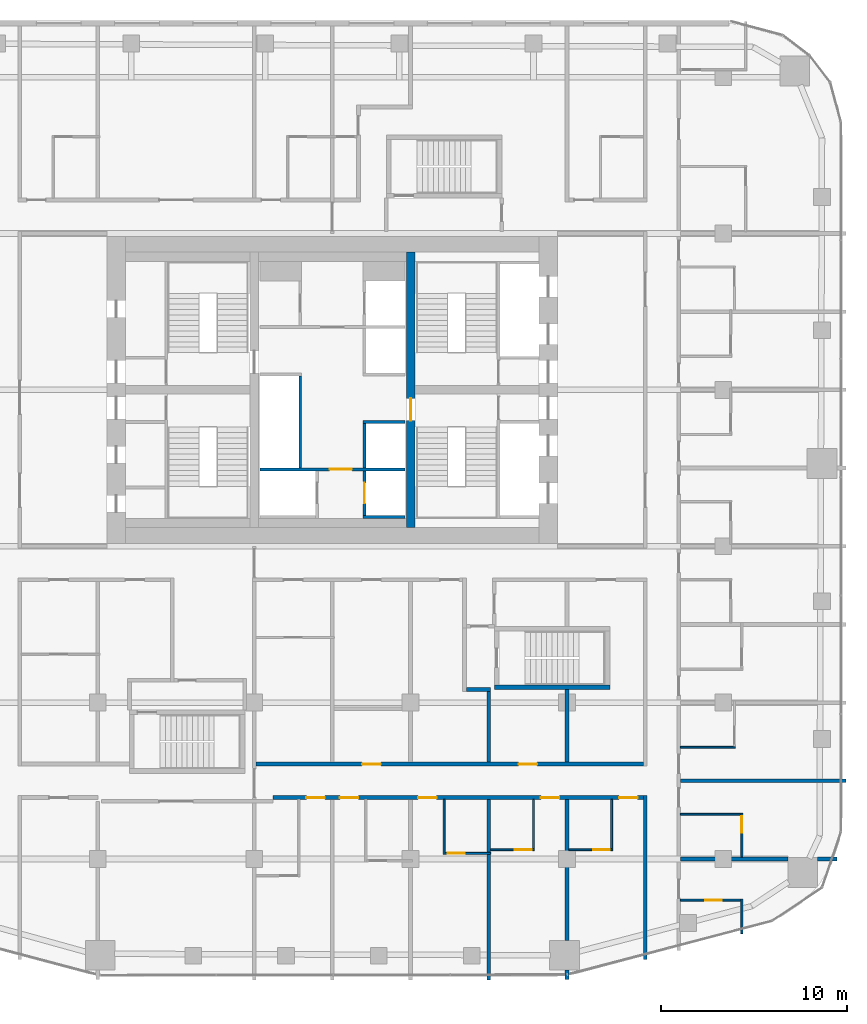
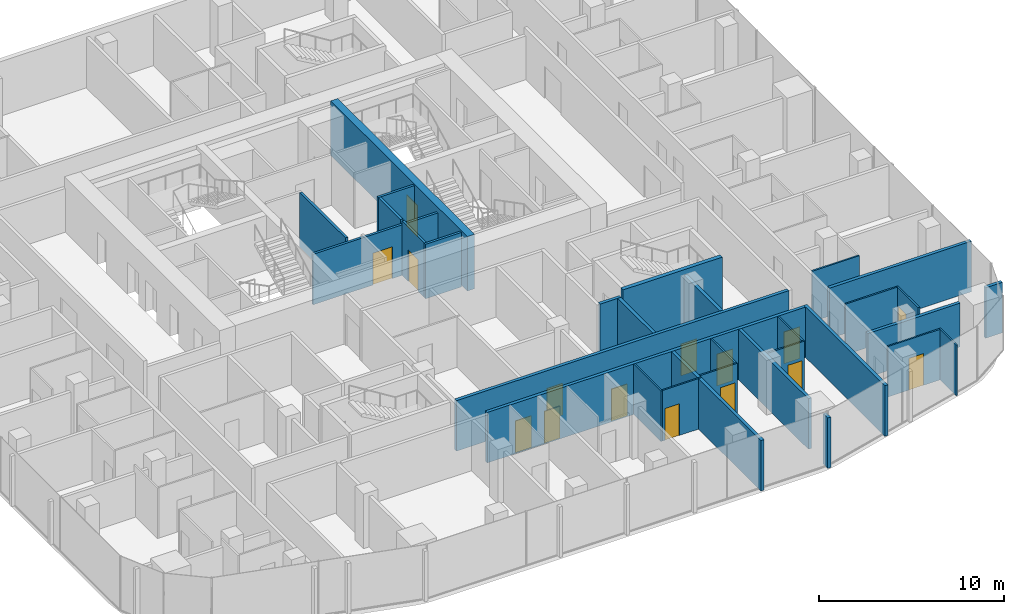
# One storey, part 16 of 23: 31 walls, 15 doors, 15 openings.
"""IFC4 building model written with IfcOpenShell, lengths in metres."""

from ifc_helpers import new_model, si_unit, direction, frame, frame_2d, origin, place, context, subcontext, project, spatial, rectangle, extrude, material, layer, layer_set, type_object, element, fill, save


model = new_model("IFC4")

# Units and contexts
model_context = context("Model", 3, precision=1e-05, world=origin(), true_north=direction((0.0, 1.0)))
body_context = subcontext(model_context, "Body", "Model", "MODEL_VIEW")
ifc_project = project(units=[si_unit("LENGTHUNIT", "METRE"), si_unit("AREAUNIT", "SQUARE_METRE"), si_unit("VOLUMEUNIT", "CUBIC_METRE"), si_unit("PLANEANGLEUNIT", "RADIAN"), si_unit("MASSUNIT", "GRAM", prefix="KILO")], contexts=[model_context])

# Site, building, storey
site_placement = place(None, origin())
site = spatial("IfcSite", under=ifc_project, at=site_placement, CompositionType="ELEMENT")
building_placement = place(site_placement, origin())
building = spatial("IfcBuilding", under=site, at=building_placement, Name="Marenta Gate Hotel Tower", CompositionType="ELEMENT")
storey_placement = place(building_placement, frame((0.0, 0.0, 140.89990234375)))
storey = spatial("IfcBuildingStorey", under=building, at=storey_placement, Name="L32", CompositionType="ELEMENT", Elevation=140.89990234375)

# Wall, opening, door
ifc_material_1 = material(Name="Concrete blockwork", Category="masonry")
ifc_layer_1 = layer(ifc_material_1, 0.14990234375)
ifc_layer_set_1 = layer_set([ifc_layer_1], Name="Concrete blockwork")
wall_type_1 = type_object("IfcWallType", Name="Core lobby partition 150 REI 180", PredefinedType="PARTITIONING", material=ifc_layer_set_1)
wall_1_placement = place(storey_placement, frame((-3.89990234375, 4.125, 0.0), z_axis=(0.0, 0.0, 1.0), x_axis=(1.0, 0.0, 0.0)))
wall_1 = element("IfcWall", 1, at=wall_1_placement, inside=storey, type_object=wall_type_1, Name="L32-CP-CW-S", PredefinedType="PARTITIONING", context=body_context, shape_type="SweptSolid", body=[
    extrude(rectangle(XDim=7.7998046875, YDim=0.14990234375, at=frame_2d((3.89990234375, 0.0))), origin(), (0.0, 0.0, 1.0), 3.340087890625),
])
opening_1_placement = place(wall_1_placement, frame((3.75, 0.0, 0.0)))
opening_1 = element("IfcOpeningElement", 2, at=opening_1_placement, cuts=wall_1, Name="Opening FD-FFS", PredefinedType="OPENING", context=body_context, shape_type="SweptSolid", body=[
    extrude(rectangle(XDim=1.199951171875, YDim=2.10009765625, at=frame_2d((0.60009765625, 1.050048828125))), frame((0.0, 0.074951171875, 0.0), z_axis=(0.0, -1.0, 0.0), x_axis=(1.0, 0.0, 0.0)), (0.0, 0.0, 1.0), 0.14990234375),
])
ifc_material_2 = material(Name="Steel", Category="steel")
door_type_1 = type_object("IfcDoorType", Name="Core lobby door 1200x2100 FD60", OperationType="SINGLE_SWING_LEFT", PredefinedType="DOOR", material=ifc_material_2)
door_1_placement = place(opening_1_placement, origin())
door_1 = element("IfcDoor", 3, at=door_1_placement, inside=storey, type_object=door_type_1, Name="FD-FFS", OperationType="SINGLE_SWING_LEFT", OverallHeight=2.10009765625, OverallWidth=1.199951171875, PredefinedType="DOOR", context=body_context, shape_type="SweptSolid", body=[
    extrude(rectangle(XDim=1.199951171875, YDim=2.10009765625, at=frame_2d((0.60009765625, 1.050048828125))), frame((0.0, 0.02490234375, 0.0), z_axis=(0.0, -1.0, 0.0), x_axis=(1.0, 0.0, 0.0)), (0.0, 0.0, 1.0), 0.050048828125),
])
fill(opening_1, door_1)

# Wall
ifc_material_3 = material(Name="Concrete C40", Category="concrete")
ifc_layer_2 = layer(ifc_material_3, 0.14990234375)
ifc_layer_set_2 = layer_set([ifc_layer_2], Name="Concrete C40")
wall_type_2 = type_object("IfcWallType", Name="Core shaft wall 150 REI 180", PredefinedType="SHEAR", material=ifc_layer_set_2)
wall_2_placement = place(storey_placement, frame((-1.72509765625, 4.199951171875, 0.0), z_axis=(0.0, 0.0, 1.0), x_axis=(0.0, 1.0, 0.0)))
element("IfcWall", 4, at=wall_2_placement, inside=storey, type_object=wall_type_2, Name="L32-SHF-CW-W-front", PredefinedType="SHEAR", context=body_context, shape_type="SweptSolid", body=[
    extrude(rectangle(XDim=4.949951171875, YDim=0.14990234375, at=frame_2d((2.47509765625, 0.0))), origin(), (0.0, 0.0, 1.0), 3.60009765625),
])

# Wall, opening, door
wall_3_placement = place(storey_placement, frame((1.72509765625, 1.64990234375, 0.0), z_axis=(0.0, 0.0, 1.0), x_axis=(0.0, 1.0, 0.0)))
wall_3 = element("IfcWall", 5, at=wall_3_placement, inside=storey, type_object=wall_type_2, Name="L32-SHF-CE-S-ls", PredefinedType="SHEAR", context=body_context, shape_type="SweptSolid", body=[
    extrude(rectangle(XDim=2.400146484375, YDim=0.14990234375, at=frame_2d((1.2001953125, 0.0))), origin(), (0.0, 0.0, 1.0), 3.60009765625),
])
opening_2_placement = place(wall_3_placement, frame((0.64990234375, 0.0, 0.0)))
opening_2 = element("IfcOpeningElement", 6, at=opening_2_placement, cuts=wall_3, Name="Opening LD-SV1", PredefinedType="OPENING", context=body_context, shape_type="SweptSolid", body=[
    extrude(rectangle(XDim=1.10009765625, YDim=2.10009765625, at=frame_2d((0.550048828125, 1.050048828125))), frame((0.0, 0.074951171875, 0.0), z_axis=(0.0, -1.0, 0.0), x_axis=(1.0, 0.0, 0.0)), (0.0, 0.0, 1.0), 0.14990234375),
])
ifc_material_4 = material(Name="Steel", Category="steel")
door_type_2 = type_object("IfcDoorType", Name="Core lift landing door 1100x2100 E 60", OperationType="SLIDING_TO_LEFT", PredefinedType="DOOR", material=ifc_material_4)
door_2_placement = place(opening_2_placement, origin())
door_2 = element("IfcDoor", 7, at=door_2_placement, inside=storey, type_object=door_type_2, Name="LD-SV1", OperationType="SLIDING_TO_LEFT", OverallHeight=2.10009765625, OverallWidth=1.10009765625, PredefinedType="DOOR", context=body_context, shape_type="SweptSolid", body=[
    extrude(rectangle(XDim=1.10009765625, YDim=2.10009765625, at=frame_2d((0.550048828125, 1.050048828125))), frame((0.0, 0.02490234375, 0.0), z_axis=(0.0, -1.0, 0.0), x_axis=(1.0, 0.0, 0.0)), (0.0, 0.0, 1.0), 0.050048828125),
])
fill(opening_2, door_2)

# Walls
for number, where, z_axis, x_axis, name in (
    (8, (1.64990234375, 1.574951171875, 0.0), (0.0, 0.0, 1.0), (1.0, 0.0, 0.0), "L32-SHF-CE-S-bot"),
    (9, (1.64990234375, 6.675048828125, 0.0), (0.0, 0.0, 1.0), (1.0, 0.0, 0.0), "L32-SHF-CE-sep1"),
):
    element("IfcWall", number, at=place(storey_placement, frame(where, z_axis=z_axis, x_axis=x_axis)), inside=storey, type_object=wall_type_2, Name=name, PredefinedType="SHEAR", context=body_context, shape_type="SweptSolid", body=[
        extrude(rectangle(XDim=2.25, YDim=0.14990234375, at=frame_2d((1.125, 0.0))), origin(), (0.0, 0.0, 1.0), 3.60009765625),
    ])
wall_4_placement = place(storey_placement, frame((1.72509765625, 4.199951171875, 0.0), z_axis=(0.0, 0.0, 1.0), x_axis=(0.0, 1.0, 0.0)))
element("IfcWall", 10, at=wall_4_placement, inside=storey, type_object=wall_type_2, Name="L32-SHF-CE-front-1", PredefinedType="SHEAR", context=body_context, shape_type="SweptSolid", body=[
    extrude(rectangle(XDim=2.400146484375, YDim=0.14990234375, at=frame_2d((1.2001953125, 0.0))), origin(), (0.0, 0.0, 1.0), 3.60009765625),
])

# Wall, opening, door
ifc_material_5 = material(Name="Concrete C70", Category="concrete")
ifc_layer_3 = layer(ifc_material_5, 0.449951171875)
ifc_layer_set_3 = layer_set([ifc_layer_3], Name="Concrete C70")
wall_type_3 = type_object("IfcWallType", Name="Core web 450 C70", PredefinedType="SHEAR", material=ifc_layer_set_3)
wall_5_placement = place(storey_placement, frame((4.199951171875, 1.0, 0.0), z_axis=(0.0, 0.0, 1.0), x_axis=(0.0, 1.0, 0.0)))
wall_5 = element("IfcWall", 11, at=wall_5_placement, inside=storey, type_object=wall_type_3, Name="L32-CORE-W2", PredefinedType="SHEAR", context=body_context, shape_type="SweptSolid", body=[
    extrude(rectangle(XDim=14.800048828125, YDim=0.449951171875, at=frame_2d((7.39990234375, 0.0))), origin(), (0.0, 0.0, 1.0), 3.60009765625),
])
opening_3_placement = place(wall_5_placement, frame((5.75, 0.0, 0.0)))
opening_3 = element("IfcOpeningElement", 12, at=opening_3_placement, cuts=wall_5, Name="Opening WD-E", PredefinedType="OPENING", context=body_context, shape_type="SweptSolid", body=[
    extrude(rectangle(XDim=1.199951171875, YDim=2.10009765625, at=frame_2d((0.60009765625, 1.050048828125))), frame((0.0, 0.22509765625, 0.0), z_axis=(0.0, -1.0, 0.0), x_axis=(1.0, 0.0, 0.0)), (0.0, 0.0, 1.0), 0.449951171875),
])
ifc_material_6 = material(Name="Steel", Category="steel")
door_type_3 = type_object("IfcDoorType", Name="Core stair door 1200x2100 FD60", OperationType="SINGLE_SWING_LEFT", PredefinedType="DOOR", material=ifc_material_6)
door_3_placement = place(opening_3_placement, origin())
door_3 = element("IfcDoor", 13, at=door_3_placement, inside=storey, type_object=door_type_3, Name="WD-E", OperationType="SINGLE_SWING_LEFT", OverallHeight=2.10009765625, OverallWidth=1.199951171875, PredefinedType="DOOR", context=body_context, shape_type="SweptSolid", body=[
    extrude(rectangle(XDim=1.199951171875, YDim=2.10009765625, at=frame_2d((0.60009765625, 1.050048828125))), frame((0.0, 0.02490234375, 0.0), z_axis=(0.0, -1.0, 0.0), x_axis=(1.0, 0.0, 0.0)), (0.0, 0.0, 1.0), 0.050048828125),
])
fill(opening_3, door_3)

# Wall
ifc_material_7 = material(Name="Concrete C40", Category="concrete")
ifc_layer_4 = layer(ifc_material_7, 0.25)
ifc_layer_set_4 = layer_set([ifc_layer_4], Name="Concrete C40")
wall_type_4 = type_object("IfcWallType", Name="Remote stair enclosure wall 250 REI 180", PredefinedType="SHEAR", material=ifc_layer_set_4)
wall_6_placement = place(storey_placement, frame((8.699951171875, -7.574951171875, 0.10009765625), z_axis=(0.0, 0.0, 1.0), x_axis=(1.0, 0.0, 0.0)))
element("IfcWall", 14, at=wall_6_placement, inside=storey, type_object=wall_type_4, Name="L32-RS-Z2-2-W1", PredefinedType="SHEAR", context=body_context, shape_type="SweptSolid", body=[
    extrude(rectangle(XDim=6.199951171875, YDim=0.25, at=frame_2d((3.10009765625, 0.0))), origin(), (0.0, 0.0, 1.0), 3.60009765625),
])

# Wall, openings, doors
ifc_material_8 = material(Name="Concrete blockwork", Category="masonry")
ifc_layer_5 = layer(ifc_material_8, 0.199951171875)
ifc_layer_set_5 = layer_set([ifc_layer_5], Name="Concrete blockwork")
wall_type_5 = type_object("IfcWallType", Name="Room corridor wall 200 EI 120", PredefinedType="PARTITIONING", material=ifc_layer_set_5)
wall_7_placement = place(storey_placement, frame((-4.10009765625, -11.699951171875, 0.0), z_axis=(0.0, 0.0, 1.0), x_axis=(1.0, 0.0, 0.0)))
wall_7 = element("IfcWall", 15, at=wall_7_placement, inside=storey, type_object=wall_type_5, Name="L32-PTN-W038", PredefinedType="PARTITIONING", context=body_context, shape_type="SweptSolid", body=[
    extrude(rectangle(XDim=20.800048828125, YDim=0.199951171875, at=frame_2d((10.39990234375, 0.0))), origin(), (0.0, 0.0, 1.0), 3.340087890625),
])
opening_4_placement = place(wall_7_placement, frame((14.10009765625, 0.0, 0.0)))
opening_4 = element("IfcOpeningElement", 16, at=opening_4_placement, cuts=wall_7, Name="Opening G12-70", PredefinedType="OPENING", context=body_context, shape_type="SweptSolid", body=[
    extrude(rectangle(XDim=1.0, YDim=2.10009765625, at=frame_2d((0.5, 1.050048828125))), frame((0.0, 0.10009765625, 0.0), z_axis=(0.0, -1.0, 0.0), x_axis=(1.0, 0.0, 0.0)), (0.0, 0.0, 1.0), 0.199951171875),
])
opening_5_placement = place(wall_7_placement, frame((5.699951171875, 0.0, 0.0)))
opening_5 = element("IfcOpeningElement", 17, at=opening_5_placement, cuts=wall_7, Name="Opening G12-72", PredefinedType="OPENING", context=body_context, shape_type="SweptSolid", body=[
    extrude(rectangle(XDim=1.0, YDim=2.10009765625, at=frame_2d((0.5, 1.050048828125))), frame((0.0, 0.10009765625, 0.0), z_axis=(0.0, -1.0, 0.0), x_axis=(1.0, 0.0, 0.0)), (0.0, 0.0, 1.0), 0.199951171875),
])
ifc_material_9 = material(Name="Timber door leaf", Category="wood")
door_type_4 = type_object("IfcDoorType", Name="Room amenity door 1000x2100 EI 60", OperationType="NOTDEFINED", PredefinedType="DOOR", material=ifc_material_9)
door_4_placement = place(opening_4_placement, origin())
door_4 = element("IfcDoor", 18, at=door_4_placement, inside=storey, type_object=door_type_4, Name="L32-PD-D070", OperationType="SINGLE_SWING_RIGHT", OverallHeight=2.10009765625, OverallWidth=1.0, PredefinedType="DOOR", context=body_context, shape_type="SweptSolid", body=[
    extrude(rectangle(XDim=1.0, YDim=2.10009765625, at=frame_2d((0.5, 1.050048828125))), frame((0.0, 0.02490234375, 0.0), z_axis=(0.0, -1.0, 0.0), x_axis=(1.0, 0.0, 0.0)), (0.0, 0.0, 1.0), 0.050048828125),
])
fill(opening_4, door_4)
door_5_placement = place(opening_5_placement, origin())
door_5 = element("IfcDoor", 19, at=door_5_placement, inside=storey, type_object=door_type_4, Name="L32-PD-D072", OperationType="SINGLE_SWING_RIGHT", OverallHeight=2.10009765625, OverallWidth=1.0, PredefinedType="DOOR", context=body_context, shape_type="SweptSolid", body=[
    extrude(rectangle(XDim=1.0, YDim=2.10009765625, at=frame_2d((0.5, 1.050048828125))), frame((0.0, 0.02490234375, 0.0), z_axis=(0.0, -1.0, 0.0), x_axis=(1.0, 0.0, 0.0)), (0.0, 0.0, 1.0), 0.050048828125),
])
fill(opening_5, door_5)

# Wall
ifc_material_10 = material(Name="Gypsum board on steel stud", Category="steel")
ifc_layer_6 = layer(ifc_material_10, 0.199951171875)
ifc_layer_set_6 = layer_set([ifc_layer_6], Name="Gypsum board on steel stud")
wall_type_6 = type_object("IfcWallType", Name="Room corridor wall 200 EI 60", PredefinedType="PARTITIONING", material=ifc_layer_set_6)
wall_8_placement = place(storey_placement, frame((16.800048828125, -22.18603515625, 0.0), z_axis=(0.0, 0.0, 1.0), x_axis=(0.0, 1.0, 0.0)))
element("IfcWall", 20, at=wall_8_placement, inside=storey, type_object=wall_type_6, Name="L32-PTN-W017", PredefinedType="PARTITIONING", context=body_context, shape_type="SweptSolid", body=[
    extrude(rectangle(XDim=8.7861328125, YDim=0.199951171875, at=frame_2d((4.39306640625, 0.0))), origin(), (0.0, 0.0, 1.0), 3.340087890625),
])

# Wall, openings, doors
wall_9_placement = place(storey_placement, frame((-3.199951171875, -13.5, 0.0), z_axis=(0.0, 0.0, 1.0), x_axis=(1.0, 0.0, 0.0)))
wall_9 = element("IfcWall", 21, at=wall_9_placement, inside=storey, type_object=wall_type_6, Name="L32-PTN-W030", PredefinedType="PARTITIONING", context=body_context, shape_type="SweptSolid", body=[
    extrude(rectangle(XDim=19.89990234375, YDim=0.199951171875, at=frame_2d((9.949951171875, 0.0))), origin(), (0.0, 0.0, 1.0), 3.340087890625),
])
opening_6_placement = place(wall_9_placement, frame((1.800048828125, 0.0, 0.0)))
opening_6 = element("IfcOpeningElement", 22, at=opening_6_placement, cuts=wall_9, Name="Opening G12-40", PredefinedType="OPENING", context=body_context, shape_type="SweptSolid", body=[
    extrude(rectangle(XDim=1.0, YDim=2.10009765625, at=frame_2d((0.5, 1.050048828125))), frame((0.0, 0.10009765625, 0.0), z_axis=(0.0, -1.0, 0.0), x_axis=(1.0, 0.0, 0.0)), (0.0, 0.0, 1.0), 0.199951171875),
])
opening_7_placement = place(wall_9_placement, frame((3.60009765625, 0.0, 0.0)))
opening_7 = element("IfcOpeningElement", 23, at=opening_7_placement, cuts=wall_9, Name="Opening G12-42", PredefinedType="OPENING", context=body_context, shape_type="SweptSolid", body=[
    extrude(rectangle(XDim=1.0, YDim=2.10009765625, at=frame_2d((0.5, 1.050048828125))), frame((0.0, 0.10009765625, 0.0), z_axis=(0.0, -1.0, 0.0), x_axis=(1.0, 0.0, 0.0)), (0.0, 0.0, 1.0), 0.199951171875),
])
opening_8_placement = place(wall_9_placement, frame((7.800048828125, 0.0, 0.0)))
opening_8 = element("IfcOpeningElement", 24, at=opening_8_placement, cuts=wall_9, Name="Opening G12-44", PredefinedType="OPENING", context=body_context, shape_type="SweptSolid", body=[
    extrude(rectangle(XDim=1.0, YDim=2.10009765625, at=frame_2d((0.5, 1.050048828125))), frame((0.0, 0.10009765625, 0.0), z_axis=(0.0, -1.0, 0.0), x_axis=(1.0, 0.0, 0.0)), (0.0, 0.0, 1.0), 0.199951171875),
])
opening_9_placement = place(wall_9_placement, frame((14.39990234375, 0.0, 0.0)))
opening_9 = element("IfcOpeningElement", 25, at=opening_9_placement, cuts=wall_9, Name="Opening G12-46", PredefinedType="OPENING", context=body_context, shape_type="SweptSolid", body=[
    extrude(rectangle(XDim=1.0, YDim=2.10009765625, at=frame_2d((0.5, 1.050048828125))), frame((0.0, 0.10009765625, 0.0), z_axis=(0.0, -1.0, 0.0), x_axis=(1.0, 0.0, 0.0)), (0.0, 0.0, 1.0), 0.199951171875),
])
opening_10_placement = place(wall_9_placement, frame((18.60009765625, 0.0, 0.0)))
opening_10 = element("IfcOpeningElement", 26, at=opening_10_placement, cuts=wall_9, Name="Opening G12-48", PredefinedType="OPENING", context=body_context, shape_type="SweptSolid", body=[
    extrude(rectangle(XDim=1.0, YDim=2.10009765625, at=frame_2d((0.5, 1.050048828125))), frame((0.0, 0.10009765625, 0.0), z_axis=(0.0, -1.0, 0.0), x_axis=(1.0, 0.0, 0.0)), (0.0, 0.0, 1.0), 0.199951171875),
])
ifc_material_11 = material(Name="Timber door leaf", Category="wood")
door_type_5 = type_object("IfcDoorType", Name="Guest room door 1000x2100 EI 30", OperationType="NOTDEFINED", PredefinedType="DOOR", material=ifc_material_11)
door_6_placement = place(opening_6_placement, origin())
door_6 = element("IfcDoor", 27, at=door_6_placement, inside=storey, type_object=door_type_5, Name="L32-PD-D040", OperationType="SINGLE_SWING_RIGHT", OverallHeight=2.10009765625, OverallWidth=1.0, PredefinedType="DOOR", context=body_context, shape_type="SweptSolid", body=[
    extrude(rectangle(XDim=1.0, YDim=2.10009765625, at=frame_2d((0.5, 1.050048828125))), frame((0.0, 0.02490234375, 0.0), z_axis=(0.0, -1.0, 0.0), x_axis=(1.0, 0.0, 0.0)), (0.0, 0.0, 1.0), 0.050048828125),
])
fill(opening_6, door_6)
door_7_placement = place(opening_7_placement, origin())
door_7 = element("IfcDoor", 28, at=door_7_placement, inside=storey, type_object=door_type_5, Name="L32-PD-D042", OperationType="SINGLE_SWING_RIGHT", OverallHeight=2.10009765625, OverallWidth=1.0, PredefinedType="DOOR", context=body_context, shape_type="SweptSolid", body=[
    extrude(rectangle(XDim=1.0, YDim=2.10009765625, at=frame_2d((0.5, 1.050048828125))), frame((0.0, 0.02490234375, 0.0), z_axis=(0.0, -1.0, 0.0), x_axis=(1.0, 0.0, 0.0)), (0.0, 0.0, 1.0), 0.050048828125),
])
fill(opening_7, door_7)
door_8_placement = place(opening_8_placement, origin())
door_8 = element("IfcDoor", 29, at=door_8_placement, inside=storey, type_object=door_type_5, Name="L32-PD-D044", OperationType="SINGLE_SWING_RIGHT", OverallHeight=2.10009765625, OverallWidth=1.0, PredefinedType="DOOR", context=body_context, shape_type="SweptSolid", body=[
    extrude(rectangle(XDim=1.0, YDim=2.10009765625, at=frame_2d((0.5, 1.050048828125))), frame((0.0, 0.02490234375, 0.0), z_axis=(0.0, -1.0, 0.0), x_axis=(1.0, 0.0, 0.0)), (0.0, 0.0, 1.0), 0.050048828125),
])
fill(opening_8, door_8)
door_9_placement = place(opening_9_placement, origin())
door_9 = element("IfcDoor", 30, at=door_9_placement, inside=storey, type_object=door_type_5, Name="L32-PD-D046", OperationType="SINGLE_SWING_RIGHT", OverallHeight=2.10009765625, OverallWidth=1.0, PredefinedType="DOOR", context=body_context, shape_type="SweptSolid", body=[
    extrude(rectangle(XDim=1.0, YDim=2.10009765625, at=frame_2d((0.5, 1.050048828125))), frame((0.0, 0.02490234375, 0.0), z_axis=(0.0, -1.0, 0.0), x_axis=(1.0, 0.0, 0.0)), (0.0, 0.0, 1.0), 0.050048828125),
])
fill(opening_9, door_9)
door_10_placement = place(opening_10_placement, origin())
door_10 = element("IfcDoor", 31, at=door_10_placement, inside=storey, type_object=door_type_5, Name="L32-PD-D048", OperationType="SINGLE_SWING_LEFT", OverallHeight=2.10009765625, OverallWidth=1.0, PredefinedType="DOOR", context=body_context, shape_type="SweptSolid", body=[
    extrude(rectangle(XDim=1.0, YDim=2.10009765625, at=frame_2d((0.5, 1.050048828125))), frame((0.0, 0.02490234375, 0.0), z_axis=(0.0, -1.0, 0.0), x_axis=(1.0, 0.0, 0.0)), (0.0, 0.0, 1.0), 0.050048828125),
])
fill(opening_10, door_10)

# Wall
ifc_material_12 = material(Name="Gypsum board on steel stud", Category="steel")
ifc_layer_7 = layer(ifc_material_12, 0.10009765625)
ifc_layer_set_7 = layer_set([ifc_layer_7], Name="Gypsum board on steel stud")
wall_type_7 = type_object("IfcWallType", Name="Room partition 100", PredefinedType="PARTITIONING", material=ifc_layer_set_7)
wall_10_placement = place(storey_placement, frame((22.0, -20.805908203125, 0.0), z_axis=(0.0, 0.0, 1.0), x_axis=(0.0, 1.0, 0.0)))
element("IfcWall", 32, at=wall_10_placement, inside=storey, type_object=wall_type_7, Name="L32-PTN-W003", PredefinedType="PARTITIONING", context=body_context, shape_type="SweptSolid", body=[
    extrude(rectangle(XDim=1.847900390625, YDim=0.10009765625, at=frame_2d((0.923828125, 0.0))), origin(), (0.0, 0.0, 1.0), 3.340087890625),
])

# Wall, opening, door
wall_11_placement = place(storey_placement, frame((22.0, -16.699951171875, 0.0), z_axis=(0.0, 0.0, 1.0), x_axis=(0.0, 1.0, 0.0)))
wall_11 = element("IfcWall", 33, at=wall_11_placement, inside=storey, type_object=wall_type_7, Name="L32-PTN-W004", PredefinedType="PARTITIONING", context=body_context, shape_type="SweptSolid", body=[
    extrude(rectangle(XDim=2.349853515625, YDim=0.10009765625, at=frame_2d((1.1748046875, 0.0))), origin(), (0.0, 0.0, 1.0), 3.340087890625),
])
opening_11_placement = place(wall_11_placement, frame((1.300048828125, 0.0, 0.0)))
opening_11 = element("IfcOpeningElement", 34, at=opening_11_placement, cuts=wall_11, Name="Opening G12-11", PredefinedType="OPENING", context=body_context, shape_type="SweptSolid", body=[
    extrude(rectangle(XDim=0.89990234375, YDim=2.10009765625, at=frame_2d((0.449951171875, 1.050048828125))), frame((0.0, 0.050048828125, 0.0), z_axis=(0.0, -1.0, 0.0), x_axis=(1.0, 0.0, 0.0)), (0.0, 0.0, 1.0), 0.10009765625),
])
ifc_material_13 = material(Name="Timber door leaf", Category="wood")
door_type_6 = type_object("IfcDoorType", Name="Guest bathroom door 900x2100", OperationType="NOTDEFINED", PredefinedType="DOOR", material=ifc_material_13)
door_11_placement = place(opening_11_placement, origin())
door_11 = element("IfcDoor", 35, at=door_11_placement, inside=storey, type_object=door_type_6, Name="L32-PD-D011", OperationType="SINGLE_SWING_RIGHT", OverallHeight=2.10009765625, OverallWidth=0.89990234375, PredefinedType="DOOR", context=body_context, shape_type="SweptSolid", body=[
    extrude(rectangle(XDim=0.89990234375, YDim=2.10009765625, at=frame_2d((0.449951171875, 1.050048828125))), frame((0.0, 0.02490234375, 0.0), z_axis=(0.0, -1.0, 0.0), x_axis=(1.0, 0.0, 0.0)), (0.0, 0.0, 1.0), 0.050048828125),
])
fill(opening_11, door_11)

wall_12_placement = place(storey_placement, frame((18.699951171875, -19.008056640625, 0.0), z_axis=(0.0, 0.0, 1.0), x_axis=(1.0, 0.0, 0.0)))
wall_12 = element("IfcWall", 36, at=wall_12_placement, inside=storey, type_object=wall_type_7, Name="L32-PTN-W012", PredefinedType="PARTITIONING", context=body_context, shape_type="SweptSolid", body=[
    extrude(rectangle(XDim=3.25, YDim=0.10009765625, at=frame_2d((1.625, 0.0))), origin(), (0.0, 0.0, 1.0), 3.340087890625),
])
opening_12_placement = place(wall_12_placement, frame((1.320068359375, 0.0, 0.0)))
opening_12 = element("IfcOpeningElement", 37, at=opening_12_placement, cuts=wall_12, Name="Opening G12-09", PredefinedType="OPENING", context=body_context, shape_type="SweptSolid", body=[
    extrude(rectangle(XDim=0.89990234375, YDim=2.10009765625, at=frame_2d((0.449951171875, 1.050048828125))), frame((0.0, 0.050048828125, 0.0), z_axis=(0.0, -1.0, 0.0), x_axis=(1.0, 0.0, 0.0)), (0.0, 0.0, 1.0), 0.10009765625),
])
door_12_placement = place(opening_12_placement, origin())
door_12 = element("IfcDoor", 38, at=door_12_placement, inside=storey, type_object=door_type_6, Name="L32-PD-D009", OperationType="SINGLE_SWING_RIGHT", OverallHeight=2.10009765625, OverallWidth=0.89990234375, PredefinedType="DOOR", context=body_context, shape_type="SweptSolid", body=[
    extrude(rectangle(XDim=0.89990234375, YDim=2.10009765625, at=frame_2d((0.449951171875, 1.050048828125))), frame((0.0, 0.02490234375, 0.0), z_axis=(0.0, -1.0, 0.0), x_axis=(1.0, 0.0, 0.0)), (0.0, 0.0, 1.0), 0.050048828125),
])
fill(opening_12, door_12)

wall_13_placement = place(storey_placement, frame((6.050048828125, -16.5, 0.0), z_axis=(0.0, 0.0, 1.0), x_axis=(1.0, 0.0, 0.0)))
wall_13 = element("IfcWall", 39, at=wall_13_placement, inside=storey, type_object=wall_type_7, Name="L32-PTN-W022", PredefinedType="PARTITIONING", context=body_context, shape_type="SweptSolid", body=[
    extrude(rectangle(XDim=2.449951171875, YDim=0.10009765625, at=frame_2d((1.22509765625, 0.0))), origin(), (0.0, 0.0, 1.0), 3.340087890625),
])
opening_13_placement = place(wall_13_placement, frame((0.14990234375, 0.0, 0.0)))
opening_13 = element("IfcOpeningElement", 40, at=opening_13_placement, cuts=wall_13, Name="Opening G12-45", PredefinedType="OPENING", context=body_context, shape_type="SweptSolid", body=[
    extrude(rectangle(XDim=0.89990234375, YDim=2.10009765625, at=frame_2d((0.449951171875, 1.050048828125))), frame((0.0, 0.050048828125, 0.0), z_axis=(0.0, -1.0, 0.0), x_axis=(1.0, 0.0, 0.0)), (0.0, 0.0, 1.0), 0.10009765625),
])
door_13_placement = place(opening_13_placement, origin())
door_13 = element("IfcDoor", 41, at=door_13_placement, inside=storey, type_object=door_type_6, Name="L32-PD-D045", OperationType="SINGLE_SWING_LEFT", OverallHeight=2.10009765625, OverallWidth=0.89990234375, PredefinedType="DOOR", context=body_context, shape_type="SweptSolid", body=[
    extrude(rectangle(XDim=0.89990234375, YDim=2.10009765625, at=frame_2d((0.449951171875, 1.050048828125))), frame((0.0, 0.02490234375, 0.0), z_axis=(0.0, -1.0, 0.0), x_axis=(1.0, 0.0, 0.0)), (0.0, 0.0, 1.0), 0.050048828125),
])
fill(opening_13, door_13)

wall_14_placement = place(storey_placement, frame((8.5, -16.300048828125, 0.0), z_axis=(0.0, 0.0, 1.0), x_axis=(1.0, 0.0, 0.0)))
wall_14 = element("IfcWall", 42, at=wall_14_placement, inside=storey, type_object=wall_type_7, Name="L32-PTN-W023", PredefinedType="PARTITIONING", context=body_context, shape_type="SweptSolid", body=[
    extrude(rectangle(XDim=2.35009765625, YDim=0.10009765625, at=frame_2d((1.175048828125, 0.0))), origin(), (0.0, 0.0, 1.0), 3.340087890625),
])
opening_14_placement = place(wall_14_placement, frame((1.300048828125, 0.0, 0.0)))
opening_14 = element("IfcOpeningElement", 43, at=opening_14_placement, cuts=wall_14, Name="Opening G12-47", PredefinedType="OPENING", context=body_context, shape_type="SweptSolid", body=[
    extrude(rectangle(XDim=0.89990234375, YDim=2.10009765625, at=frame_2d((0.449951171875, 1.050048828125))), frame((0.0, 0.050048828125, 0.0), z_axis=(0.0, -1.0, 0.0), x_axis=(1.0, 0.0, 0.0)), (0.0, 0.0, 1.0), 0.10009765625),
])
door_14_placement = place(opening_14_placement, origin())
door_14 = element("IfcDoor", 44, at=door_14_placement, inside=storey, type_object=door_type_6, Name="L32-PD-D047", OperationType="SINGLE_SWING_RIGHT", OverallHeight=2.10009765625, OverallWidth=0.89990234375, PredefinedType="DOOR", context=body_context, shape_type="SweptSolid", body=[
    extrude(rectangle(XDim=0.89990234375, YDim=2.10009765625, at=frame_2d((0.449951171875, 1.050048828125))), frame((0.0, 0.02490234375, 0.0), z_axis=(0.0, -1.0, 0.0), x_axis=(1.0, 0.0, 0.0)), (0.0, 0.0, 1.0), 0.050048828125),
])
fill(opening_14, door_14)

wall_15_placement = place(storey_placement, frame((12.699951171875, -16.300048828125, 0.0), z_axis=(0.0, 0.0, 1.0), x_axis=(1.0, 0.0, 0.0)))
wall_15 = element("IfcWall", 45, at=wall_15_placement, inside=storey, type_object=wall_type_7, Name="L32-PTN-W024", PredefinedType="PARTITIONING", context=body_context, shape_type="SweptSolid", body=[
    extrude(rectangle(XDim=2.35009765625, YDim=0.10009765625, at=frame_2d((1.175048828125, 0.0))), origin(), (0.0, 0.0, 1.0), 3.340087890625),
])
opening_15_placement = place(wall_15_placement, frame((1.300048828125, 0.0, 0.0)))
opening_15 = element("IfcOpeningElement", 46, at=opening_15_placement, cuts=wall_15, Name="Opening G12-49", PredefinedType="OPENING", context=body_context, shape_type="SweptSolid", body=[
    extrude(rectangle(XDim=0.89990234375, YDim=2.10009765625, at=frame_2d((0.449951171875, 1.050048828125))), frame((0.0, 0.050048828125, 0.0), z_axis=(0.0, -1.0, 0.0), x_axis=(1.0, 0.0, 0.0)), (0.0, 0.0, 1.0), 0.10009765625),
])
door_15_placement = place(opening_15_placement, origin())
door_15 = element("IfcDoor", 47, at=door_15_placement, inside=storey, type_object=door_type_6, Name="L32-PD-D049", OperationType="SINGLE_SWING_RIGHT", OverallHeight=2.10009765625, OverallWidth=0.89990234375, PredefinedType="DOOR", context=body_context, shape_type="SweptSolid", body=[
    extrude(rectangle(XDim=0.89990234375, YDim=2.10009765625, at=frame_2d((0.449951171875, 1.050048828125))), frame((0.0, 0.02490234375, 0.0), z_axis=(0.0, -1.0, 0.0), x_axis=(1.0, 0.0, 0.0)), (0.0, 0.0, 1.0), 0.050048828125),
])
fill(opening_15, door_15)

# Walls
wall_16_placement = place(storey_placement, frame((15.0, -16.25, 0.0), z_axis=(0.0, 0.0, 1.0), x_axis=(0.0, 1.0, 0.0)))
element("IfcWall", 48, at=wall_16_placement, inside=storey, type_object=wall_type_7, Name="L32-PTN-W025", PredefinedType="PARTITIONING", context=body_context, shape_type="SweptSolid", body=[
    extrude(rectangle(XDim=2.64990234375, YDim=0.10009765625, at=frame_2d((1.324951171875, 0.0))), origin(), (0.0, 0.0, 1.0), 3.340087890625),
])
wall_17_placement = place(storey_placement, frame((18.699951171875, -14.39990234375, 0.0), z_axis=(0.0, 0.0, 1.0), x_axis=(1.0, 0.0, 0.0)))
element("IfcWall", 49, at=wall_17_placement, inside=storey, type_object=wall_type_7, Name="L32-PTN-W027", PredefinedType="PARTITIONING", context=body_context, shape_type="SweptSolid", body=[
    extrude(rectangle(XDim=3.25, YDim=0.10009765625, at=frame_2d((1.625, 0.0))), origin(), (0.0, 0.0, 1.0), 3.340087890625),
])
wall_18_placement = place(storey_placement, frame((10.800048828125, -16.25, 0.0), z_axis=(0.0, 0.0, 1.0), x_axis=(0.0, 1.0, 0.0)))
element("IfcWall", 50, at=wall_18_placement, inside=storey, type_object=wall_type_7, Name="L32-PTN-W039", PredefinedType="PARTITIONING", context=body_context, shape_type="SweptSolid", body=[
    extrude(rectangle(XDim=2.64990234375, YDim=0.10009765625, at=frame_2d((1.324951171875, 0.0))), origin(), (0.0, 0.0, 1.0), 3.340087890625),
])
for number, where, z_axis, x_axis, name in (
    (51, (18.699951171875, -10.800048828125, 0.0), (0.0, 0.0, 1.0), (1.0, 0.0, 0.0), "L32-PTN-W041"),
    (52, (6.0, -16.550048828125, 0.0), (0.0, 0.0, 1.0), (0.0, 1.0, 0.0), "L32-PTN-W056"),
):
    element("IfcWall", number, at=place(storey_placement, frame(where, z_axis=z_axis, x_axis=x_axis)), inside=storey, type_object=wall_type_7, Name=name, PredefinedType="PARTITIONING", context=body_context, shape_type="SweptSolid", body=[
        extrude(rectangle(XDim=2.949951171875, YDim=0.10009765625, at=frame_2d((1.47509765625, 0.0))), origin(), (0.0, 0.0, 1.0), 3.340087890625),
    ])
ifc_material_14 = material(Name="Gypsum board on steel stud", Category="steel")
ifc_layer_8 = layer(ifc_material_14, 0.199951171875)
ifc_layer_set_8 = layer_set([ifc_layer_8], Name="Gypsum board on steel stud")
wall_type_8 = type_object("IfcWallType", Name="Room party wall 200 EI 60", PredefinedType="PARTITIONING", material=ifc_layer_set_8)
wall_19_placement = place(storey_placement, frame((18.699951171875, -16.800048828125, 0.0), z_axis=(0.0, 0.0, 1.0), x_axis=(1.0, 0.0, 0.0)))
element("IfcWall", 53, at=wall_19_placement, inside=storey, type_object=wall_type_8, Name="L32-PTN-W021", PredefinedType="PARTITIONING", context=body_context, shape_type="SweptSolid", body=[
    extrude(rectangle(XDim=5.762939453125, YDim=0.199951171875, at=frame_2d((2.88134765625, 0.0))), origin(), (0.0, 0.0, 1.0), 2.89013671875),
])
wall_20_placement = place(storey_placement, frame((26.06298828125, -16.800048828125, 0.0), z_axis=(0.0, 0.0, 1.0), x_axis=(1.0, 0.0, 0.0)))
element("IfcWall", 54, at=wall_20_placement, inside=storey, type_object=wall_type_8, Name="L32-PTN-W132", PredefinedType="PARTITIONING", context=body_context, shape_type="SweptSolid", body=[
    extrude(rectangle(XDim=1.049072265625, YDim=0.199951171875, at=frame_2d((0.5244140625, 0.0))), origin(), (0.0, 0.0, 1.0), 3.340087890625),
])
wall_21_placement = place(storey_placement, frame((12.60009765625, -23.26611328125, 0.0), z_axis=(0.0, 0.0, 1.0), x_axis=(0.0, 1.0, 0.0)))
element("IfcWall", 55, at=wall_21_placement, inside=storey, type_object=wall_type_8, Name="L32-PTN-W032", PredefinedType="PARTITIONING", context=body_context, shape_type="SweptSolid", body=[
    extrude(rectangle(XDim=0.4912109375, YDim=0.199951171875, at=frame_2d((0.24560546875, 0.0))), origin(), (0.0, 0.0, 1.0), 3.340087890625),
])
wall_22_placement = place(storey_placement, frame((12.60009765625, -21.175048828125, 0.0), z_axis=(0.0, 0.0, 1.0), x_axis=(0.0, 1.0, 0.0)))
element("IfcWall", 56, at=wall_22_placement, inside=storey, type_object=wall_type_8, Name="L32-PTN-W133", PredefinedType="PARTITIONING", context=body_context, shape_type="SweptSolid", body=[
    extrude(rectangle(XDim=7.574951171875, YDim=0.199951171875, at=frame_2d((3.78759765625, 0.0))), origin(), (0.0, 0.0, 1.0), 3.340087890625),
])
wall_23_placement = place(storey_placement, frame((12.60009765625, -11.60009765625, 0.0), z_axis=(0.0, 0.0, 1.0), x_axis=(0.0, 1.0, 0.0)))
element("IfcWall", 57, at=wall_23_placement, inside=storey, type_object=wall_type_8, Name="L32-PTN-W033", PredefinedType="PARTITIONING", context=body_context, shape_type="SweptSolid", body=[
    extrude(rectangle(XDim=3.900146484375, YDim=0.199951171875, at=frame_2d((1.9501953125, 0.0))), origin(), (0.0, 0.0, 1.0), 3.340087890625),
])
wall_24_placement = place(storey_placement, frame((18.699951171875, -12.60009765625, 0.0), z_axis=(0.0, 0.0, 1.0), x_axis=(1.0, 0.0, 0.0)))
element("IfcWall", 58, at=wall_24_placement, inside=storey, type_object=wall_type_8, Name="L32-PTN-W036", PredefinedType="PARTITIONING", context=body_context, shape_type="SweptSolid", body=[
    extrude(rectangle(XDim=8.900146484375, YDim=0.199951171875, at=frame_2d((4.4501953125, 0.0))), origin(), (0.0, 0.0, 1.0), 3.340087890625),
])
wall_25_placement = place(storey_placement, frame((8.39990234375, -23.300048828125, 0.0), z_axis=(0.0, 0.0, 1.0), x_axis=(0.0, 1.0, 0.0)))
element("IfcWall", 59, at=wall_25_placement, inside=storey, type_object=wall_type_8, Name="L32-PTN-W045", PredefinedType="PARTITIONING", context=body_context, shape_type="SweptSolid", body=[
    extrude(rectangle(XDim=9.699951171875, YDim=0.199951171875, at=frame_2d((4.85009765625, 0.0))), origin(), (0.0, 0.0, 1.0), 3.340087890625),
])
wall_26_placement = place(storey_placement, frame((8.39990234375, -11.60009765625, 0.0), z_axis=(0.0, 0.0, 1.0), x_axis=(0.0, 1.0, 0.0)))
element("IfcWall", 60, at=wall_26_placement, inside=storey, type_object=wall_type_8, Name="L32-PTN-W046", PredefinedType="PARTITIONING", context=body_context, shape_type="SweptSolid", body=[
    extrude(rectangle(XDim=3.800048828125, YDim=0.199951171875, at=frame_2d((1.89990234375, 0.0))), origin(), (0.0, 0.0, 1.0), 3.340087890625),
])
ifc_material_15 = material(Name="Concrete blockwork", Category="masonry")
ifc_layer_9 = layer(ifc_material_15, 0.199951171875)
ifc_layer_set_9 = layer_set([ifc_layer_9], Name="Concrete blockwork")
wall_type_9 = type_object("IfcWallType", Name="Room party wall 200 REI 180", PredefinedType="PARTITIONING", material=ifc_layer_set_9)
wall_27_placement = place(storey_placement, frame((7.199951171875, -7.699951171875, 0.0), z_axis=(0.0, 0.0, 1.0), x_axis=(1.0, 0.0, 0.0)))
element("IfcWall", 61, at=wall_27_placement, inside=storey, type_object=wall_type_9, Name="L32-PTN-W049", PredefinedType="PARTITIONING", context=body_context, shape_type="SweptSolid", body=[
    extrude(rectangle(XDim=1.300048828125, YDim=0.199951171875, at=frame_2d((0.64990234375, 0.0))), origin(), (0.0, 0.0, 1.0), 3.340087890625),
])

save(model, "model.ifc")
